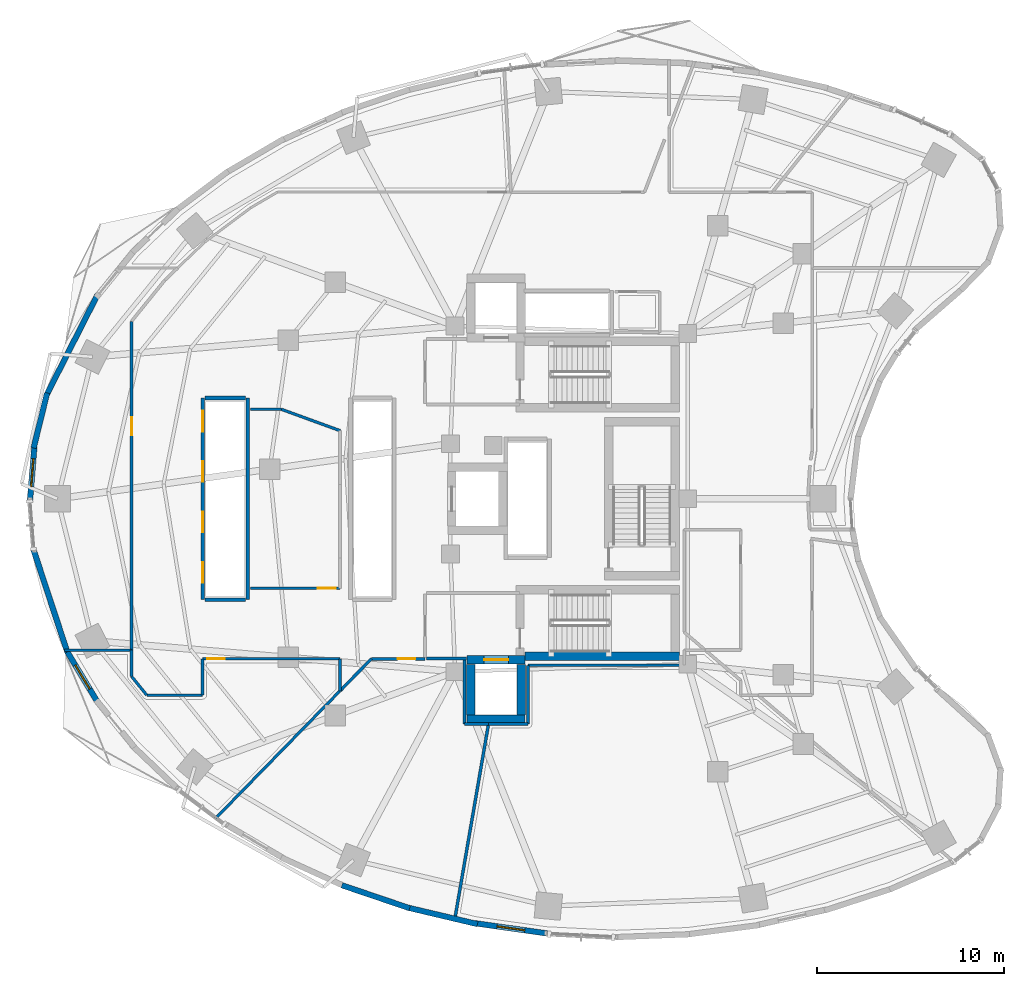
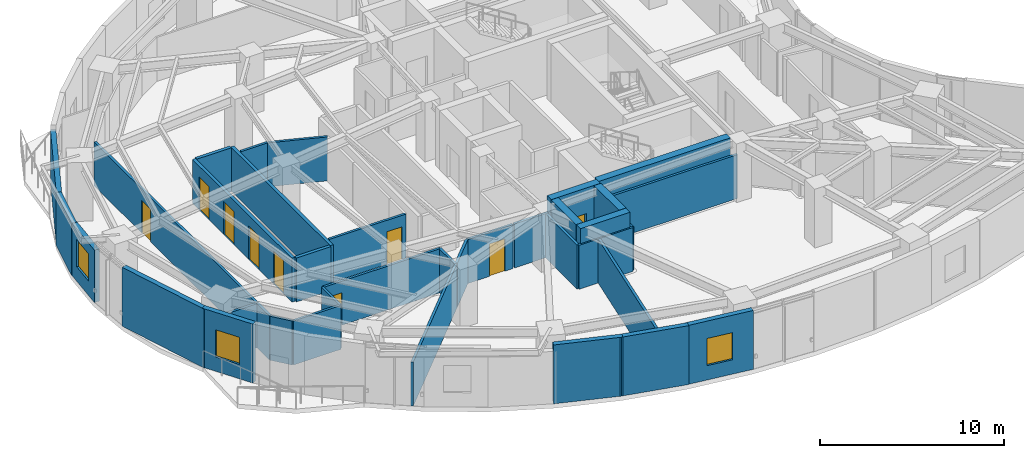
# One storey, part 8 of 14: 38 walls, 9 doors, 3 windows, 12 openings.
"""IFC4 building model written with IfcOpenShell, lengths in metres."""

from ifc_helpers import new_model, si_unit, direction, frame, frame_2d, origin, place, context, subcontext, project, spatial, rectangle, extrude, material, layer, layer_set, type_object, element, fill, save


model = new_model("IFC4")

# Units and contexts
model_context = context("Model", 3, precision=1e-05, world=origin(), true_north=direction((0.0, 1.0)))
body_context = subcontext(model_context, "Body", "Model", "MODEL_VIEW")
ifc_project = project(units=[si_unit("LENGTHUNIT", "METRE"), si_unit("AREAUNIT", "SQUARE_METRE"), si_unit("VOLUMEUNIT", "CUBIC_METRE"), si_unit("PLANEANGLEUNIT", "RADIAN"), si_unit("MASSUNIT", "GRAM", prefix="KILO")], contexts=[model_context])

# Site, building, storey
site_placement = place(None, origin())
site = spatial("IfcSite", under=ifc_project, at=site_placement, CompositionType="ELEMENT")
building_placement = place(site_placement, origin())
building = spatial("IfcBuilding", under=site, at=building_placement, Name="Korentha Bioscience Tower", CompositionType="ELEMENT")
storey_placement = place(building_placement, frame((0.0, 0.0, 46.800048828125)))
storey = spatial("IfcBuildingStorey", under=building, at=storey_placement, Name="L10", CompositionType="ELEMENT", Elevation=46.800048828125)

# Wall, opening, door
ifc_material_1 = material(Name="Double-Stud Acoustic Gypsum", Category="gypsum")
ifc_layer_1 = layer(ifc_material_1, 0.14990234375, Name="Double-Stud Acoustic Gypsum")
ifc_layer_set_1 = layer_set([ifc_layer_1], Name="Double-Stud Acoustic Gypsum (IW-L150)")
wall_type_1 = type_object("IfcWallType", Name="Acoustic Laboratory Partition Wall 150", PredefinedType="PARTITIONING", material=ifc_layer_set_1)
wall_1_placement = place(storey_placement, frame((18.947998046875, 22.2099609375, 0.0), z_axis=(0.0, 0.0, 1.0), x_axis=(-1.0, 0.0, 0.0)))
wall_1 = element("IfcWall", 1, at=wall_1_placement, inside=storey, type_object=wall_type_1, Name="L10 Research Colloquium Seminar Room 01 Entrance Wall", PredefinedType="PARTITIONING", context=body_context, shape_type="SweptSolid", body=[
    extrude(rectangle(XDim=4.7880859375, YDim=0.14990234375, at=frame_2d((2.39404296875, 0.0))), origin(), (0.0, 0.0, 1.0), 2.909912109375),
])
opening_1_placement = place(wall_1_placement, frame((0.239990234375, 0.0, 0.0)))
opening_1 = element("IfcOpeningElement", 2, at=opening_1_placement, cuts=wall_1, Name="Opening ID-10R", PredefinedType="OPENING", context=body_context, shape_type="SweptSolid", body=[
    extrude(rectangle(XDim=0.949951171875, YDim=2.14990234375, at=frame_2d((0.47509765625, 1.074951171875))), frame((0.0, 0.08984375, 0.0), z_axis=(0.0, -1.0, 0.0), x_axis=(1.0, 0.0, 0.0)), (0.0, 0.0, 1.0), 0.1796875),
])
ifc_material_2 = material(Name="Phenolic Laminate Timber Core", Category="wood")
door_type_1 = type_object("IfcDoorType", Name="Laboratory Single Leaf Door 950x2150 Right", OperationType="SINGLE_SWING_RIGHT", PredefinedType="DOOR", material=ifc_material_2)
door_1_placement = place(opening_1_placement, origin())
door_1 = element("IfcDoor", 3, at=door_1_placement, inside=storey, type_object=door_type_1, Name="L10 Research Colloquium Seminar Room 01 Door", OperationType="SINGLE_SWING_RIGHT", OverallHeight=2.14990234375, OverallWidth=0.949951171875, PredefinedType="DOOR", context=body_context, shape_type="SweptSolid", body=[
    extrude(rectangle(XDim=0.949951171875, YDim=2.14990234375, at=frame_2d((0.47509765625, 1.074951171875))), frame((0.0, 0.02490234375, 0.0), z_axis=(0.0, -1.0, 0.0), x_axis=(1.0, 0.0, 0.0)), (0.0, 0.0, 1.0), 0.050048828125),
])
fill(opening_1, door_1)

wall_2_placement = place(storey_placement, frame((11.590087890625, 18.43994140625, 0.0), z_axis=(0.0, 0.0, 1.0), x_axis=(1.0, 0.0, 0.0)))
wall_2 = element("IfcWall", 4, at=wall_2_placement, inside=storey, type_object=wall_type_1, Name="L10 Staff Pantry Kitchenette 02 Entrance Wall", PredefinedType="PARTITIONING", context=body_context, shape_type="SweptSolid", body=[
    extrude(rectangle(XDim=7.35791015625, YDim=0.14990234375, at=frame_2d((3.678955078125, 0.0))), origin(), (0.0, 0.0, 1.0), 2.909912109375),
])
opening_2_placement = place(wall_2_placement, frame((0.239990234375, 0.0, 0.0)))
opening_2 = element("IfcOpeningElement", 5, at=opening_2_placement, cuts=wall_2, Name="Opening ID-10L", PredefinedType="OPENING", context=body_context, shape_type="SweptSolid", body=[
    extrude(rectangle(XDim=0.949951171875, YDim=2.14990234375, at=frame_2d((0.47509765625, 1.074951171875))), frame((0.0, 0.08984375, 0.0), z_axis=(0.0, -1.0, 0.0), x_axis=(1.0, 0.0, 0.0)), (0.0, 0.0, 1.0), 0.1796875),
])
door_type_2 = type_object("IfcDoorType", Name="Laboratory Single Leaf Door 950x2150 Left", OperationType="SINGLE_SWING_LEFT", PredefinedType="DOOR", material=ifc_material_2)
door_2_placement = place(opening_2_placement, origin())
door_2 = element("IfcDoor", 6, at=door_2_placement, inside=storey, type_object=door_type_2, Name="L10 Staff Pantry Kitchenette 02 Door", OperationType="SINGLE_SWING_LEFT", OverallHeight=2.14990234375, OverallWidth=0.949951171875, PredefinedType="DOOR", context=body_context, shape_type="SweptSolid", body=[
    extrude(rectangle(XDim=0.949951171875, YDim=2.14990234375, at=frame_2d((0.47509765625, 1.074951171875))), frame((0.0, 0.02490234375, 0.0), z_axis=(0.0, -1.0, 0.0), x_axis=(1.0, 0.0, 0.0)), (0.0, 0.0, 1.0), 0.050048828125),
])
fill(opening_2, door_2)

wall_3_placement = place(storey_placement, frame((7.7900390625, 36.501220703125, 0.0), z_axis=(0.0, 0.0, 1.0), x_axis=(0.0, -1.0, 0.0)))
wall_3 = element("IfcWall", 7, at=wall_3_placement, inside=storey, type_object=wall_type_1, Name="L10 Patent and Regulatory Affairs Office 11 Entrance Wall", PredefinedType="PARTITIONING", context=body_context, shape_type="SweptSolid", body=[
    extrude(rectangle(XDim=17.59326171875, YDim=0.14990234375, at=frame_2d((8.796630859375, 0.0))), origin(), (0.0, 0.0, 1.0), 2.909912109375),
])
opening_3_placement = place(wall_3_placement, frame((5.138916015625, 0.0, 0.0)))
opening_3 = element("IfcOpeningElement", 8, at=opening_3_placement, cuts=wall_3, Name="Opening ID-10R", PredefinedType="OPENING", context=body_context, shape_type="SweptSolid", body=[
    extrude(rectangle(XDim=0.949951171875, YDim=2.14990234375, at=frame_2d((0.47509765625, 1.074951171875))), frame((0.0, 0.08984375, 0.0), z_axis=(0.0, -1.0, 0.0), x_axis=(1.0, 0.0, 0.0)), (0.0, 0.0, 1.0), 0.1796875),
])
door_3_placement = place(opening_3_placement, origin())
door_3 = element("IfcDoor", 9, at=door_3_placement, inside=storey, type_object=door_type_1, Name="L10 Patent and Regulatory Affairs Office 11 Door", OperationType="SINGLE_SWING_RIGHT", OverallHeight=2.14990234375, OverallWidth=0.949951171875, PredefinedType="DOOR", context=body_context, shape_type="SweptSolid", body=[
    extrude(rectangle(XDim=0.949951171875, YDim=2.14990234375, at=frame_2d((0.47509765625, 1.074951171875))), frame((0.0, 0.02490234375, 0.0), z_axis=(0.0, -1.0, 0.0), x_axis=(1.0, 0.0, 0.0)), (0.0, 0.0, 1.0), 0.050048828125),
])
fill(opening_3, door_3)

# Walls
wall_4_placement = place(storey_placement, frame((14.159912109375, 31.7900390625, 0.0), z_axis=(0.0, 0.0, 1.0), x_axis=(1.0, 0.0, 0.0)))
element("IfcWall", 10, at=wall_4_placement, inside=storey, type_object=wall_type_1, Name="L10 Interior Partition 015", PredefinedType="PARTITIONING", context=body_context, shape_type="SweptSolid", body=[
    extrude(rectangle(XDim=1.6474609375, YDim=0.14990234375, at=frame_2d((0.82373046875, 0.0))), origin(), (0.0, 0.0, 1.0), 2.909912109375),
])
wall_5_placement = place(storey_placement, frame((15.807373046875, 31.7900390625, 0.0), z_axis=(0.0, 0.0, 1.0), x_axis=(0.939695275892, -0.342012848393, 0.0)))
element("IfcWall", 11, at=wall_5_placement, inside=storey, type_object=wall_type_1, Name="L10 Interior Partition 016", PredefinedType="PARTITIONING", context=body_context, shape_type="SweptSolid", body=[
    extrude(rectangle(XDim=3.34228515625, YDim=0.14990234375, at=frame_2d((1.671142578125, 0.0))), origin(), (0.0, 0.0, 1.0), 2.909912109375),
])
wall_6_placement = place(storey_placement, frame((4.19580078125, 18.89794921875, 0.0), z_axis=(0.0, 0.0, 1.0), x_axis=(1.0, 0.0, 0.0)))
element("IfcWall", 12, at=wall_6_placement, inside=storey, type_object=wall_type_1, Name="L10 Interior Partition 020", PredefinedType="PARTITIONING", context=body_context, shape_type="SweptSolid", body=[
    extrude(rectangle(XDim=3.59423828125, YDim=0.14990234375, at=frame_2d((1.797119140625, 0.0))), origin(), (0.0, 0.0, 1.0), 2.909912109375),
])
wall_7_placement = place(storey_placement, frame((7.7900390625, 18.89794921875, 0.0), z_axis=(0.0, 0.0, 1.0), x_axis=(0.0, -1.0, 0.0)))
element("IfcWall", 13, at=wall_7_placement, inside=storey, type_object=wall_type_1, Name="L10 Interior Partition 021", PredefinedType="PARTITIONING", context=body_context, shape_type="SweptSolid", body=[
    extrude(rectangle(XDim=1.399169921875, YDim=0.14990234375, at=frame_2d((0.69970703125, 0.0))), origin(), (0.0, 0.0, 1.0), 2.909912109375),
])
wall_8_placement = place(storey_placement, frame((7.792236328125, 17.492431640625, 0.0), z_axis=(0.0, 0.0, 1.0), x_axis=(0.629225554682, -0.777222748854, 0.0)))
element("IfcWall", 14, at=wall_8_placement, inside=storey, type_object=wall_type_1, Name="L10 Interior Partition 022", PredefinedType="PARTITIONING", context=body_context, shape_type="SweptSolid", body=[
    extrude(rectangle(XDim=1.28515625, YDim=0.14990234375, at=frame_2d((0.642578125, 0.0))), origin(), (0.0, 0.0, 1.0), 2.909912109375),
])
wall_9_placement = place(storey_placement, frame((8.608642578125, 16.489990234375, 0.0), z_axis=(0.0, 0.0, 1.0), x_axis=(1.0, 0.0, 0.0)))
element("IfcWall", 15, at=wall_9_placement, inside=storey, type_object=wall_type_1, Name="L10 Interior Partition 023", PredefinedType="PARTITIONING", context=body_context, shape_type="SweptSolid", body=[
    extrude(rectangle(XDim=2.971435546875, YDim=0.14990234375, at=frame_2d((1.48583984375, 0.0))), origin(), (0.0, 0.0, 1.0), 2.909912109375),
])
wall_10_placement = place(storey_placement, frame((11.590087890625, 16.5, 0.0), z_axis=(0.0, 0.0, 1.0), x_axis=(0.0, 1.0, 0.0)))
element("IfcWall", 16, at=wall_10_placement, inside=storey, type_object=wall_type_1, Name="L10 Interior Partition 024", PredefinedType="PARTITIONING", context=body_context, shape_type="SweptSolid", body=[
    extrude(rectangle(XDim=1.93994140625, YDim=0.14990234375, at=frame_2d((0.969970703125, 0.0))), origin(), (0.0, 0.0, 1.0), 2.909912109375),
])
wall_11_placement = place(storey_placement, frame((18.947998046875, 18.43994140625, 0.0), z_axis=(0.0, 0.0, 1.0), x_axis=(0.0, -1.0, 0.0)))
element("IfcWall", 17, at=wall_11_placement, inside=storey, type_object=wall_type_1, Name="L10 Interior Partition 025", PredefinedType="PARTITIONING", context=body_context, shape_type="SweptSolid", body=[
    extrude(rectangle(XDim=1.710693359375, YDim=0.14990234375, at=frame_2d((0.85546875, 0.0))), origin(), (0.0, 0.0, 1.0), 2.909912109375),
])
wall_12_placement = place(storey_placement, frame((18.947998046875, 16.729248046875, 0.0), z_axis=(0.0, 0.0, 1.0), x_axis=(-0.698422651091, -0.715685545783, 0.0)))
element("IfcWall", 18, at=wall_12_placement, inside=storey, type_object=wall_type_1, Name="L10 Interior Partition 026", PredefinedType="PARTITIONING", context=body_context, shape_type="SweptSolid", body=[
    extrude(rectangle(XDim=9.602783203125, YDim=0.14990234375, at=frame_2d((4.80126953125, 0.0))), origin(), (0.0, 0.0, 1.0), 2.909912109375),
])
wall_13_placement = place(storey_placement, frame((29.0, 14.9541015625, 0.0), z_axis=(0.0, 0.0, 1.0), x_axis=(0.0, 1.0, 0.0)))
element("IfcWall", 19, at=wall_13_placement, inside=storey, type_object=wall_type_1, Name="L10 Interior Partition 031", PredefinedType="PARTITIONING", context=body_context, shape_type="SweptSolid", body=[
    extrude(rectangle(XDim=3.135986328125, YDim=0.14990234375, at=frame_2d((1.56787109375, 0.0))), origin(), (0.0, 0.0, 1.0), 2.909912109375),
])
wall_14_placement = place(storey_placement, frame((29.0, 18.090087890625, 0.0), z_axis=(0.0, 0.0, 1.0), x_axis=(1.0, 0.0, 0.0)))
element("IfcWall", 20, at=wall_14_placement, inside=storey, type_object=wall_type_1, Name="L10 Interior Partition 032", PredefinedType="PARTITIONING", context=body_context, shape_type="SweptSolid", body=[
    extrude(rectangle(XDim=8.35009765625, YDim=0.14990234375, at=frame_2d((4.175048828125, 0.0))), origin(), (0.0, 0.0, 1.0), 2.909912109375),
])
wall_15_placement = place(storey_placement, frame((26.900146484375, 14.949951171875, 0.0), z_axis=(0.0, 0.0, 1.0), x_axis=(1.0, 0.0, 0.0)))
element("IfcWall", 21, at=wall_15_placement, inside=storey, type_object=wall_type_1, Name="L10 Interior Partition 043", PredefinedType="PARTITIONING", context=body_context, shape_type="SweptSolid", body=[
    extrude(rectangle(XDim=2.095703125, YDim=0.14990234375, at=frame_2d((1.0478515625, 0.0))), origin(), (0.0, 0.0, 1.0), 2.909912109375),
])
ifc_material_3 = material(Name="Gypsum-Clad Steel Stud", Category="steel")
ifc_layer_2 = layer(ifc_material_3, 0.159912109375, Name="Gypsum-Clad Steel Stud")
ifc_layer_set_2 = layer_set([ifc_layer_2], Name="Gypsum-Clad Steel Stud (IW-C160)")
wall_type_2 = type_object("IfcWallType", Name="Fire-Rated Corridor Partition Wall 160", PredefinedType="PARTITIONING", material=ifc_layer_set_2)
wall_16_placement = place(storey_placement, frame((23.580078125, 18.449951171875, 0.0), z_axis=(0.0, 0.0, 1.0), x_axis=(1.0, 0.0, 0.0)))
element("IfcWall", 22, at=wall_16_placement, inside=storey, type_object=wall_type_2, Name="L10 Firefighting Lobby Return Wall FFLS-S", PredefinedType="PARTITIONING", context=body_context, shape_type="SweptSolid", body=[
    extrude(rectangle(XDim=2.119873046875, YDim=0.159912109375, at=frame_2d((1.06005859375, 0.0))), origin(), (0.0, 0.0, 1.0), 2.909912109375),
])

# Wall, opening, door
wall_17_placement = place(storey_placement, frame((20.623046875, 18.43994140625, 0.0), z_axis=(0.0, 0.0, 1.0), x_axis=(1.0, 0.0, 0.0)))
wall_17 = element("IfcWall", 23, at=wall_17_placement, inside=storey, type_object=wall_type_2, Name="L10 Biospecimen Archive Store 03 Entrance Wall", PredefinedType="PARTITIONING", context=body_context, shape_type="SweptSolid", body=[
    extrude(rectangle(XDim=2.866943359375, YDim=0.159912109375, at=frame_2d((1.43359375, 0.0))), origin(), (0.0, 0.0, 1.0), 2.909912109375),
])
opening_4_placement = place(wall_17_placement, frame((1.39697265625, 0.0, 0.0)))
opening_4 = element("IfcOpeningElement", 24, at=opening_4_placement, cuts=wall_17, Name="Opening ID-10R", PredefinedType="OPENING", context=body_context, shape_type="SweptSolid", body=[
    extrude(rectangle(XDim=0.949951171875, YDim=2.14990234375, at=frame_2d((0.47509765625, 1.074951171875))), frame((0.0, 0.0947265625, 0.0), z_axis=(0.0, -1.0, 0.0), x_axis=(1.0, 0.0, 0.0)), (0.0, 0.0, 1.0), 0.189697265625),
])
door_4_placement = place(opening_4_placement, origin())
door_4 = element("IfcDoor", 25, at=door_4_placement, inside=storey, type_object=door_type_1, Name="L10 Biospecimen Archive Store 03 Door", OperationType="SINGLE_SWING_RIGHT", OverallHeight=2.14990234375, OverallWidth=0.949951171875, PredefinedType="DOOR", context=body_context, shape_type="SweptSolid", body=[
    extrude(rectangle(XDim=0.949951171875, YDim=2.14990234375, at=frame_2d((0.47509765625, 1.074951171875))), frame((0.0, 0.02490234375, 0.0), z_axis=(0.0, -1.0, 0.0), x_axis=(1.0, 0.0, 0.0)), (0.0, 0.0, 1.0), 0.050048828125),
])
fill(opening_4, door_4)

# Walls
wall_18_placement = place(storey_placement, frame((25.60009765625, 18.43603515625, 0.0), z_axis=(0.0, 0.0, 1.0), x_axis=(0.0, -1.0, 0.0)))
element("IfcWall", 26, at=wall_18_placement, inside=storey, type_object=wall_type_2, Name="L10 Interior Partition 027", PredefinedType="PARTITIONING", context=body_context, shape_type="SweptSolid", body=[
    extrude(rectangle(XDim=3.48193359375, YDim=0.159912109375, at=frame_2d((1.740966796875, 0.0))), origin(), (0.0, 0.0, 1.0), 2.909912109375),
])
wall_19_placement = place(storey_placement, frame((25.60400390625, 14.949951171875, 0.0), z_axis=(0.0, 0.0, 1.0), x_axis=(1.0, 0.0, 0.0)))
element("IfcWall", 27, at=wall_19_placement, inside=storey, type_object=wall_type_2, Name="L10 Interior Partition 028", PredefinedType="PARTITIONING", context=body_context, shape_type="SweptSolid", body=[
    extrude(rectangle(XDim=1.2861328125, YDim=0.159912109375, at=frame_2d((0.64306640625, 0.0))), origin(), (0.0, 0.0, 1.0), 2.909912109375),
])
wall_20_placement = place(storey_placement, frame((26.89013671875, 14.949951171875, 0.0), z_axis=(0.0, 0.0, 1.0), x_axis=(-0.170210321413, -0.985407756456, 0.0)))
element("IfcWall", 28, at=wall_20_placement, inside=storey, type_object=wall_type_2, Name="L10 Interior Partition 029", PredefinedType="PARTITIONING", context=body_context, shape_type="SweptSolid", body=[
    extrude(rectangle(XDim=10.697265625, YDim=0.159912109375, at=frame_2d((5.3486328125, 0.0))), origin(), (0.0, 0.0, 1.0), 2.909912109375),
])
wall_21_placement = place(storey_placement, frame((18.9580078125, 16.73388671875, 0.0), z_axis=(0.0, 0.0, 1.0), x_axis=(0.698451817259, 0.715657081966, 0.0)))
element("IfcWall", 29, at=wall_21_placement, inside=storey, type_object=wall_type_2, Name="L10 Interior Partition 030", PredefinedType="PARTITIONING", context=body_context, shape_type="SweptSolid", body=[
    extrude(rectangle(XDim=2.3837890625, YDim=0.159912109375, at=frame_2d((1.19189453125, 0.0))), origin(), (0.0, 0.0, 1.0), 2.909912109375),
])

# Wall, opening, window
ifc_material_4 = material(Name="Honed Limestone Precast Concrete C40", Category="masonry")
ifc_layer_3 = layer(ifc_material_4, 0.300048828125, Name="Honed Limestone Precast Concrete C40")
ifc_layer_set_3 = layer_set([ifc_layer_3], Name="Honed Limestone Precast Concrete C40 (EW-ST300)")
wall_type_3 = type_object("IfcWallType", Name="Honed Limestone Cavity Spandrel Wall 300", PredefinedType="STANDARD", material=ifc_layer_set_3)
wall_22_placement = place(storey_placement, frame((2.593994140625, 29.877685546875, 0.0), z_axis=(0.0, 0.0, 1.0), x_axis=(-0.08090887827, -0.996721502435, 0.0)))
wall_22 = element("IfcWall", 30, at=wall_22_placement, inside=storey, type_object=wall_type_3, Name="L10 Honed Limestone Spandrel Wall 18", PredefinedType="STANDARD", context=body_context, shape_type="SweptSolid", body=[
    extrude(rectangle(XDim=2.960205078125, YDim=0.300048828125, at=frame_2d((1.47998046875, 0.0))), origin(), (0.0, 0.0, 1.0), 3.469970703125),
])
opening_5_placement = place(wall_22_placement, frame((0.72998046875, 0.0, 0.949951171875)))
opening_5 = element("IfcOpeningElement", 31, at=opening_5_placement, cuts=wall_22, Name="Opening WN-02", PredefinedType="OPENING", context=body_context, shape_type="SweptSolid", body=[
    extrude(rectangle(XDim=1.5, YDim=1.800048828125, at=frame_2d((0.75, 0.89990234375))), frame((0.0, 0.1650390625, 0.0), z_axis=(0.0, -1.0, 0.0), x_axis=(1.0, 0.0, 0.0)), (0.0, 0.0, 1.0), 0.329833984375),
])
ifc_material_5 = material(Name="Thermally Broken Aluminium Triple Glazing", Category="aluminium")
window_type = type_object("IfcWindowType", Name="Acoustic Operable Office Window 1500x1800", PartitioningType="DOUBLE_PANEL_VERTICAL", PredefinedType="WINDOW", material=ifc_material_5)
window_1_placement = place(opening_5_placement, origin())
window_1 = element("IfcWindow", 32, at=window_1_placement, inside=storey, type_object=window_type, Name="L10 Facade Window 18", OverallHeight=1.800048828125, OverallWidth=1.5, PartitioningType="DOUBLE_PANEL_VERTICAL", PredefinedType="WINDOW", context=body_context, shape_type="SweptSolid", body=[
    extrude(rectangle(XDim=1.5, YDim=1.800048828125, at=frame_2d((0.75, 0.89990234375))), frame((0.0, 0.030029296875, 0.0), z_axis=(0.0, -1.0, 0.0), x_axis=(1.0, 0.0, 0.0)), (0.0, 0.0, 1.0), 0.06005859375),
])
fill(opening_5, window_1)

wall_23_placement = place(storey_placement, frame((4.352294921875, 18.8046875, 0.0), z_axis=(0.0, 0.0, 1.0), x_axis=(0.516447962267, -0.856318575222, 0.0)))
wall_23 = element("IfcWall", 33, at=wall_23_placement, inside=storey, type_object=wall_type_3, Name="L10 Honed Limestone Spandrel Wall 22", PredefinedType="STANDARD", context=body_context, shape_type="SweptSolid", body=[
    extrude(rectangle(XDim=3.142822265625, YDim=0.300048828125, at=frame_2d((1.5712890625, 0.0))), origin(), (0.0, 0.0, 1.0), 3.89990234375),
])
opening_6_placement = place(wall_23_placement, frame((0.8212890625, 0.0, 0.949951171875)))
opening_6 = element("IfcOpeningElement", 34, at=opening_6_placement, cuts=wall_23, Name="Opening WN-02", PredefinedType="OPENING", context=body_context, shape_type="SweptSolid", body=[
    extrude(rectangle(XDim=1.5, YDim=1.800048828125, at=frame_2d((0.75, 0.89990234375))), frame((0.0, 0.1650390625, 0.0), z_axis=(0.0, -1.0, 0.0), x_axis=(1.0, 0.0, 0.0)), (0.0, 0.0, 1.0), 0.329833984375),
])
window_2_placement = place(opening_6_placement, origin())
window_2 = element("IfcWindow", 35, at=window_2_placement, inside=storey, type_object=window_type, Name="L10 Facade Window 22", OverallHeight=1.800048828125, OverallWidth=1.5, PartitioningType="DOUBLE_PANEL_VERTICAL", PredefinedType="WINDOW", context=body_context, shape_type="SweptSolid", body=[
    extrude(rectangle(XDim=1.5, YDim=1.800048828125, at=frame_2d((0.75, 0.89990234375))), frame((0.0, 0.030029296875, 0.0), z_axis=(0.0, -1.0, 0.0), x_axis=(1.0, 0.0, 0.0)), (0.0, 0.0, 1.0), 0.06005859375),
])
fill(opening_6, window_2)

wall_24_placement = place(storey_placement, frame((26.150390625, 4.2900390625, 0.0), z_axis=(0.0, 0.0, 1.0), x_axis=(0.990165573956, -0.139900450869, 0.0)))
wall_24 = element("IfcWall", 36, at=wall_24_placement, inside=storey, type_object=wall_type_3, Name="L10 Honed Limestone Spandrel Wall 30", PredefinedType="STANDARD", context=body_context, shape_type="SweptSolid", body=[
    extrude(rectangle(XDim=3.910888671875, YDim=0.300048828125, at=frame_2d((1.95556640625, 0.0))), origin(), (0.0, 0.0, 1.0), 3.89990234375),
])
opening_7_placement = place(wall_24_placement, frame((1.20556640625, 0.0, 0.949951171875)))
opening_7 = element("IfcOpeningElement", 37, at=opening_7_placement, cuts=wall_24, Name="Opening WN-02", PredefinedType="OPENING", context=body_context, shape_type="SweptSolid", body=[
    extrude(rectangle(XDim=1.5, YDim=1.800048828125, at=frame_2d((0.75, 0.89990234375))), frame((0.0, 0.1650390625, 0.0), z_axis=(0.0, -1.0, 0.0), x_axis=(1.0, 0.0, 0.0)), (0.0, 0.0, 1.0), 0.329833984375),
])
window_3_placement = place(opening_7_placement, origin())
window_3 = element("IfcWindow", 38, at=window_3_placement, inside=storey, type_object=window_type, Name="L10 Facade Window 30", OverallHeight=1.800048828125, OverallWidth=1.5, PartitioningType="DOUBLE_PANEL_VERTICAL", PredefinedType="WINDOW", context=body_context, shape_type="SweptSolid", body=[
    extrude(rectangle(XDim=1.5, YDim=1.800048828125, at=frame_2d((0.75, 0.89990234375))), frame((0.0, 0.030029296875, 0.0), z_axis=(0.0, -1.0, 0.0), x_axis=(1.0, 0.0, 0.0)), (0.0, 0.0, 1.0), 0.06005859375),
])
fill(opening_7, window_3)

# Walls
wall_25_placement = place(storey_placement, frame((5.968505859375, 37.925537109375, 0.0), z_axis=(0.0, 0.0, 1.0), x_axis=(-0.453093111502, -0.891463197395, 0.0)))
element("IfcWall", 39, at=wall_25_placement, inside=storey, type_object=wall_type_3, Name="L10 Limestone Perimeter Closure Wall 15", PredefinedType="STANDARD", context=body_context, shape_type="SweptSolid", body=[
    extrude(rectangle(XDim=6.102294921875, YDim=0.300048828125, at=frame_2d((3.05126953125, 0.0))), origin(), (0.0, 0.0, 1.0), 3.469970703125),
])
wall_26_placement = place(storey_placement, frame((3.27001953125, 32.664794921875, 0.0), z_axis=(0.0, 0.0, 1.0), x_axis=(-0.23859399274, -0.971119409047, 0.0)))
element("IfcWall", 40, at=wall_26_placement, inside=storey, type_object=wall_type_3, Name="L10 Limestone Perimeter Closure Wall 17", PredefinedType="STANDARD", context=body_context, shape_type="SweptSolid", body=[
    extrude(rectangle(XDim=3.032958984375, YDim=0.300048828125, at=frame_2d((1.5166015625, 0.0))), origin(), (0.0, 0.0, 1.0), 3.469970703125),
])
wall_27_placement = place(storey_placement, frame((2.537353515625, 24.289306640625, 0.0), z_axis=(0.0, 0.0, 1.0), x_axis=(0.31372816724, -0.949512841978, 0.0)))
element("IfcWall", 41, at=wall_27_placement, inside=storey, type_object=wall_type_3, Name="L10 Limestone Perimeter Closure Wall 20", PredefinedType="STANDARD", context=body_context, shape_type="SweptSolid", body=[
    extrude(rectangle(XDim=5.950927734375, YDim=0.300048828125, at=frame_2d((2.9755859375, 0.0))), origin(), (0.0, 0.0, 1.0), 3.89990234375),
])
wall_28_placement = place(storey_placement, frame((19.0400390625, 6.32080078125, 0.0), z_axis=(0.0, 0.0, 1.0), x_axis=(0.94702579403, -0.321157508773, 0.0)))
element("IfcWall", 42, at=wall_28_placement, inside=storey, type_object=wall_type_3, Name="L10 Limestone Perimeter Closure Wall 28", PredefinedType="STANDARD", context=body_context, shape_type="SweptSolid", body=[
    extrude(rectangle(XDim=3.829833984375, YDim=0.300048828125, at=frame_2d((1.9150390625, 0.0))), origin(), (0.0, 0.0, 1.0), 3.89990234375),
])
wall_29_placement = place(storey_placement, frame((22.50048828125, 5.138427734375, 0.0), z_axis=(0.0, 0.0, 1.0), x_axis=(0.973197600754, -0.229970497863, 0.0)))
element("IfcWall", 43, at=wall_29_placement, inside=storey, type_object=wall_type_3, Name="L10 Limestone Perimeter Closure Wall 29", PredefinedType="STANDARD", context=body_context, shape_type="SweptSolid", body=[
    extrude(rectangle(XDim=3.9013671875, YDim=0.300048828125, at=frame_2d((1.95068359375, 0.0))), origin(), (0.0, 0.0, 1.0), 3.89990234375),
])

# Wall, openings, doors
ifc_material_6 = material(Name="Autoclaved Aerated Concrete Block C25", Category="concrete")
ifc_layer_4 = layer(ifc_material_6, 0.199951171875, Name="Autoclaved Aerated Concrete Block C25")
ifc_layer_set_4 = layer_set([ifc_layer_4], Name="Autoclaved Aerated Concrete Block C25 (IW-S200)")
wall_type_4 = type_object("IfcWallType", Name="Lift and Riser Shaft Enclosure Wall 200", PredefinedType="PARTITIONING", material=ifc_layer_set_4)
wall_30_placement = place(storey_placement, frame((11.60009765625, 21.60009765625, 0.0), z_axis=(0.0, 0.0, 1.0), x_axis=(0.0, 1.0, 0.0)))
wall_30 = element("IfcWall", 44, at=wall_30_placement, inside=storey, type_object=wall_type_4, Name="L10 Lift Bank LOW Shaft Wall -X", PredefinedType="PARTITIONING", context=body_context, shape_type="SweptSolid", body=[
    extrude(rectangle(XDim=10.7998046875, YDim=0.199951171875, at=frame_2d((5.39990234375, 0.0))), origin(), (0.0, 0.0, 1.0), 2.909912109375),
])
opening_8_placement = place(wall_30_placement, frame((0.89990234375, 0.0, 0.0)))
opening_8 = element("IfcOpeningElement", 45, at=opening_8_placement, cuts=wall_30, Name="Opening LD-11", PredefinedType="OPENING", context=body_context, shape_type="SweptSolid", body=[
    extrude(rectangle(XDim=1.10009765625, YDim=2.199951171875, at=frame_2d((0.550048828125, 1.10009765625))), frame((0.0, 0.11474609375, 0.0), z_axis=(0.0, -1.0, 0.0), x_axis=(1.0, 0.0, 0.0)), (0.0, 0.0, 1.0), 0.229736328125),
])
opening_9_placement = place(wall_30_placement, frame((3.60009765625, 0.0, 0.0)))
opening_9 = element("IfcOpeningElement", 46, at=opening_9_placement, cuts=wall_30, Name="Opening LD-11", PredefinedType="OPENING", context=body_context, shape_type="SweptSolid", body=[
    extrude(rectangle(XDim=1.10009765625, YDim=2.199951171875, at=frame_2d((0.550048828125, 1.10009765625))), frame((0.0, 0.11474609375, 0.0), z_axis=(0.0, -1.0, 0.0), x_axis=(1.0, 0.0, 0.0)), (0.0, 0.0, 1.0), 0.229736328125),
])
opening_10_placement = place(wall_30_placement, frame((6.300048828125, 0.0, 0.0)))
opening_10 = element("IfcOpeningElement", 47, at=opening_10_placement, cuts=wall_30, Name="Opening LD-11", PredefinedType="OPENING", context=body_context, shape_type="SweptSolid", body=[
    extrude(rectangle(XDim=1.10009765625, YDim=2.199951171875, at=frame_2d((0.550048828125, 1.10009765625))), frame((0.0, 0.11474609375, 0.0), z_axis=(0.0, -1.0, 0.0), x_axis=(1.0, 0.0, 0.0)), (0.0, 0.0, 1.0), 0.229736328125),
])
opening_11_placement = place(wall_30_placement, frame((9.0, 0.0, 0.0)))
opening_11 = element("IfcOpeningElement", 48, at=opening_11_placement, cuts=wall_30, Name="Opening LD-11", PredefinedType="OPENING", context=body_context, shape_type="SweptSolid", body=[
    extrude(rectangle(XDim=1.10009765625, YDim=2.199951171875, at=frame_2d((0.550048828125, 1.10009765625))), frame((0.0, 0.11474609375, 0.0), z_axis=(0.0, -1.0, 0.0), x_axis=(1.0, 0.0, 0.0)), (0.0, 0.0, 1.0), 0.229736328125),
])
ifc_material_7 = material(Name="Brushed Stainless Steel 304", Category="steel")
door_type_3 = type_object("IfcDoorType", Name="Passenger Lift Sliding Landing Door 1100x2200", OperationType="DOUBLE_DOOR_SLIDING", PredefinedType="DOOR", material=ifc_material_7)
door_5_placement = place(opening_8_placement, origin())
door_5 = element("IfcDoor", 49, at=door_5_placement, inside=storey, type_object=door_type_3, Name="L10 PL-L1 Sliding Lift Landing Door", OperationType="DOUBLE_DOOR_SLIDING", OverallHeight=2.199951171875, OverallWidth=1.10009765625, PredefinedType="DOOR", context=body_context, shape_type="SweptSolid", body=[
    extrude(rectangle(XDim=1.10009765625, YDim=2.199951171875, at=frame_2d((0.550048828125, 1.10009765625))), frame((0.0, 0.02490234375, 0.0), z_axis=(0.0, -1.0, 0.0), x_axis=(1.0, 0.0, 0.0)), (0.0, 0.0, 1.0), 0.050048828125),
])
fill(opening_8, door_5)
door_6_placement = place(opening_9_placement, origin())
door_6 = element("IfcDoor", 50, at=door_6_placement, inside=storey, type_object=door_type_3, Name="L10 PL-L2 Sliding Lift Landing Door", OperationType="DOUBLE_DOOR_SLIDING", OverallHeight=2.199951171875, OverallWidth=1.10009765625, PredefinedType="DOOR", context=body_context, shape_type="SweptSolid", body=[
    extrude(rectangle(XDim=1.10009765625, YDim=2.199951171875, at=frame_2d((0.550048828125, 1.10009765625))), frame((0.0, 0.02490234375, 0.0), z_axis=(0.0, -1.0, 0.0), x_axis=(1.0, 0.0, 0.0)), (0.0, 0.0, 1.0), 0.050048828125),
])
fill(opening_9, door_6)
door_7_placement = place(opening_10_placement, origin())
door_7 = element("IfcDoor", 51, at=door_7_placement, inside=storey, type_object=door_type_3, Name="L10 PL-L3 Sliding Lift Landing Door", OperationType="DOUBLE_DOOR_SLIDING", OverallHeight=2.199951171875, OverallWidth=1.10009765625, PredefinedType="DOOR", context=body_context, shape_type="SweptSolid", body=[
    extrude(rectangle(XDim=1.10009765625, YDim=2.199951171875, at=frame_2d((0.550048828125, 1.10009765625))), frame((0.0, 0.02490234375, 0.0), z_axis=(0.0, -1.0, 0.0), x_axis=(1.0, 0.0, 0.0)), (0.0, 0.0, 1.0), 0.050048828125),
])
fill(opening_10, door_7)
door_8_placement = place(opening_11_placement, origin())
door_8 = element("IfcDoor", 52, at=door_8_placement, inside=storey, type_object=door_type_3, Name="L10 PL-L4 Sliding Lift Landing Door", OperationType="DOUBLE_DOOR_SLIDING", OverallHeight=2.199951171875, OverallWidth=1.10009765625, PredefinedType="DOOR", context=body_context, shape_type="SweptSolid", body=[
    extrude(rectangle(XDim=1.10009765625, YDim=2.199951171875, at=frame_2d((0.550048828125, 1.10009765625))), frame((0.0, 0.02490234375, 0.0), z_axis=(0.0, -1.0, 0.0), x_axis=(1.0, 0.0, 0.0)), (0.0, 0.0, 1.0), 0.050048828125),
])
fill(opening_11, door_8)

# Walls
wall_31_placement = place(storey_placement, frame((14.0, 21.60009765625, 0.0), z_axis=(0.0, 0.0, 1.0), x_axis=(0.0, 1.0, 0.0)))
element("IfcWall", 53, at=wall_31_placement, inside=storey, type_object=wall_type_4, Name="L10 Lift Bank LOW Shaft Wall +X", PredefinedType="PARTITIONING", context=body_context, shape_type="SweptSolid", body=[
    extrude(rectangle(XDim=10.7998046875, YDim=0.199951171875, at=frame_2d((5.39990234375, 0.0))), origin(), (0.0, 0.0, 1.0), 2.909912109375),
])
for number, where, z_axis, x_axis, name in (
    (54, (11.719970703125, 21.60009765625, 0.0), (0.0, 0.0, 1.0), (1.0, 0.0, 0.0), "L10 Lift Bank LOW Shaft Wall -Y"),
    (55, (11.719970703125, 32.39990234375, 0.0), (0.0, 0.0, 1.0), (1.0, 0.0, 0.0), "L10 Lift Bank LOW Shaft Wall +Y"),
):
    element("IfcWall", number, at=place(storey_placement, frame(where, z_axis=z_axis, x_axis=x_axis)), inside=storey, type_object=wall_type_4, Name=name, PredefinedType="PARTITIONING", context=body_context, shape_type="SweptSolid", body=[
        extrude(rectangle(XDim=2.159912109375, YDim=0.199951171875, at=frame_2d((1.080078125, 0.0))), origin(), (0.0, 0.0, 1.0), 2.909912109375),
    ])
ifc_material_8 = material(Name="Concrete C80", Category="concrete")
ifc_layer_5 = layer(ifc_material_8, 0.449951171875, Name="Concrete C80")
ifc_layer_set_5 = layer_set([ifc_layer_5], Name="Concrete C80 (CW-C80)")
wall_type_5 = type_object("IfcWallType", Name="Lower Core Shear Wall 450", PredefinedType="SHEAR", material=ifc_layer_set_5)
wall_32_placement = place(storey_placement, frame((28.85205078125, 18.574951171875, 0.0), z_axis=(0.0, 0.0, 1.0), x_axis=(1.0, 0.0, 0.0)))
element("IfcWall", 56, at=wall_32_placement, inside=storey, type_object=wall_type_5, Name="L10 Core Shear Wall ST2-S", PredefinedType="SHEAR", context=body_context, shape_type="SweptSolid", body=[
    extrude(rectangle(XDim=8.248046875, YDim=0.449951171875, at=frame_2d((4.1240234375, 0.0))), origin(), (0.0, 0.0, 1.0), 3.89990234375),
])
wall_33_placement = place(storey_placement, frame((25.75, 15.199951171875, 0.0), z_axis=(0.0, 0.0, 1.0), x_axis=(1.0, 0.0, 0.0)))
element("IfcWall", 57, at=wall_33_placement, inside=storey, type_object=wall_type_5, Name="L10 Core Shear Wall FFL1-S", PredefinedType="SHEAR", context=body_context, shape_type="SweptSolid", body=[
    extrude(rectangle(XDim=3.10009765625, YDim=0.449951171875, at=frame_2d((1.550048828125, 0.0))), origin(), (0.0, 0.0, 1.0), 3.89990234375),
])

# Wall, opening, door
wall_34_placement = place(storey_placement, frame((25.75, 18.3798828125, 0.0), z_axis=(0.0, 0.0, 1.0), x_axis=(1.0, 0.0, 0.0)))
wall_34 = element("IfcWall", 58, at=wall_34_placement, inside=storey, type_object=wall_type_5, Name="L10 Core Shear Wall FFL1-N", PredefinedType="SHEAR", context=body_context, shape_type="SweptSolid", body=[
    extrude(rectangle(XDim=3.10009765625, YDim=0.449951171875, at=frame_2d((1.550048828125, 0.0))), origin(), (0.0, 0.0, 1.0), 3.89990234375),
])
opening_12_placement = place(wall_34_placement, frame((0.89990234375, 0.0, 0.0)))
opening_12 = element("IfcOpeningElement", 59, at=opening_12_placement, cuts=wall_34, Name="Opening LD-13", PredefinedType="OPENING", context=body_context, shape_type="SweptSolid", body=[
    extrude(rectangle(XDim=1.300048828125, YDim=2.199951171875, at=frame_2d((0.64990234375, 1.10009765625))), frame((0.0, 0.23974609375, 0.0), z_axis=(0.0, -1.0, 0.0), x_axis=(1.0, 0.0, 0.0)), (0.0, 0.0, 1.0), 0.479736328125),
])
ifc_material_9 = material(Name="Brushed Stainless Steel 316", Category="steel")
door_type_4 = type_object("IfcDoorType", Name="Service & Firefighting Lift Landing Door 1300x2300", OperationType="DOUBLE_DOOR_SLIDING", PredefinedType="DOOR", material=ifc_material_9)
door_9_placement = place(opening_12_placement, origin())
door_9 = element("IfcDoor", 60, at=door_9_placement, inside=storey, type_object=door_type_4, Name="L10 FFL-1 Sliding Lift Landing Door", OperationType="DOUBLE_DOOR_SLIDING", OverallHeight=2.199951171875, OverallWidth=1.300048828125, PredefinedType="DOOR", context=body_context, shape_type="SweptSolid", body=[
    extrude(rectangle(XDim=1.300048828125, YDim=2.199951171875, at=frame_2d((0.64990234375, 1.10009765625))), frame((0.0, 0.02490234375, 0.0), z_axis=(0.0, -1.0, 0.0), x_axis=(1.0, 0.0, 0.0)), (0.0, 0.0, 1.0), 0.050048828125),
])
fill(opening_12, door_9)

# Walls
for number, where, z_axis, x_axis, name in (
    (61, (25.949951171875, 15.43994140625, 0.0), (0.0, 0.0, 1.0), (0.0, 1.0, 0.0), "L10 Core Shear Wall FFL1-W"),
    (62, (28.64990234375, 15.43994140625, 0.0), (0.0, 0.0, 1.0), (0.0, 1.0, 0.0), "L10 Core Shear Wall FFL1-E"),
):
    element("IfcWall", number, at=place(storey_placement, frame(where, z_axis=z_axis, x_axis=x_axis)), inside=storey, type_object=wall_type_5, Name=name, PredefinedType="SHEAR", context=body_context, shape_type="SweptSolid", body=[
        extrude(rectangle(XDim=2.699951171875, YDim=0.449951171875, at=frame_2d((1.35009765625, 0.0))), origin(), (0.0, 0.0, 1.0), 3.89990234375),
    ])

save(model, "model.ifc")
